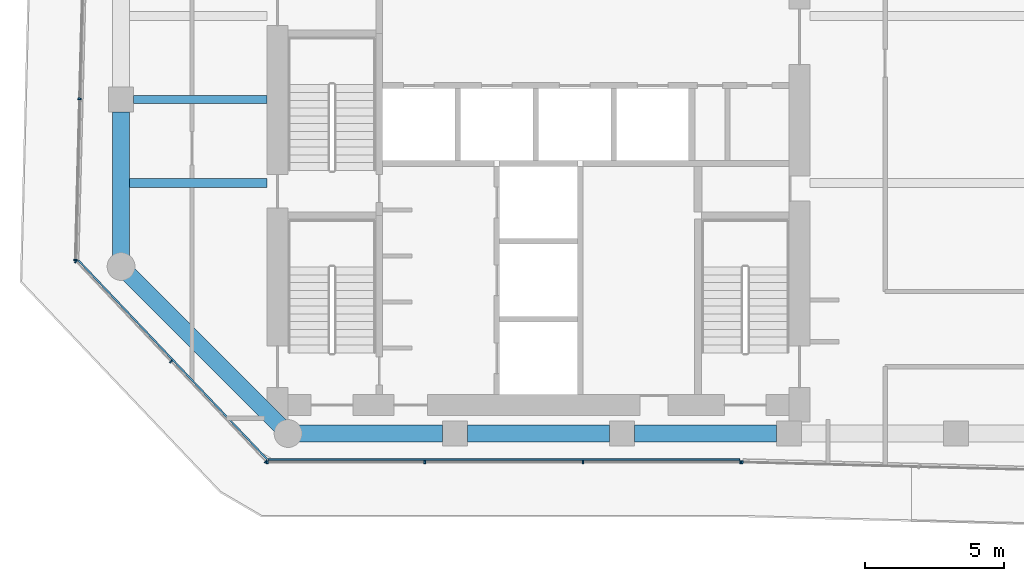
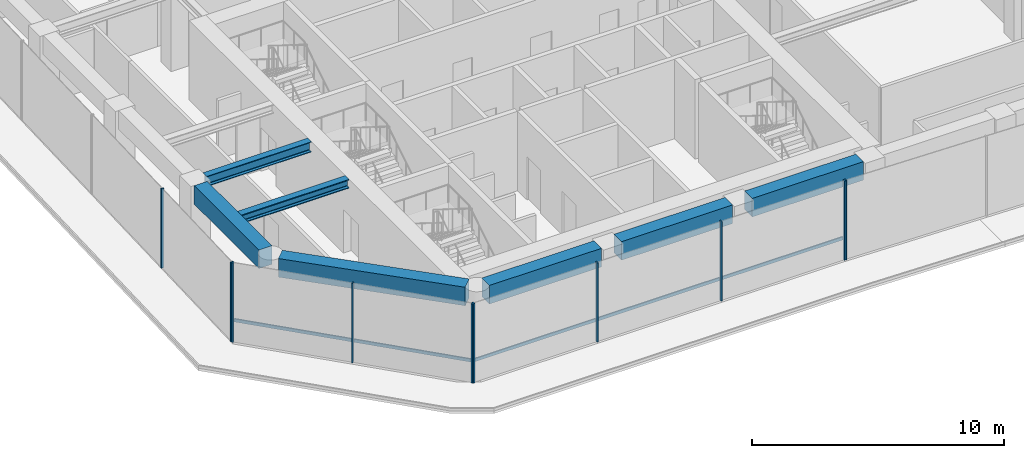
# One storey, part 2 of 23: 12 members, 7 beams, 4 elements without a shape of their own.
"""IFC4 building model written with IfcOpenShell, lengths in metres."""

from ifc_helpers import new_model, si_unit, direction, frame, origin, origin_2d, place, context, subcontext, project, spatial, rectangle, i_section, extrude, material, layer, layer_set, material_profile, profile_set, type_object, element, aggregate, save


model = new_model("IFC4")

# Units and contexts
model_context = context("Model", 3, precision=1e-05, world=origin(), true_north=direction((0.0, 1.0)))
body_context = subcontext(model_context, "Body", "Model", "MODEL_VIEW")
ifc_project = project(units=[si_unit("LENGTHUNIT", "METRE"), si_unit("AREAUNIT", "SQUARE_METRE"), si_unit("VOLUMEUNIT", "CUBIC_METRE"), si_unit("PLANEANGLEUNIT", "RADIAN"), si_unit("MASSUNIT", "GRAM", prefix="KILO")], contexts=[model_context])

# Site, building, storey
site_placement = place(None, origin())
site = spatial("IfcSite", under=ifc_project, at=site_placement, CompositionType="ELEMENT")
building_placement = place(site_placement, origin())
building = spatial("IfcBuilding", under=site, at=building_placement, Name="Welwitschia Terrace Campus", CompositionType="ELEMENT")
storey_placement = place(building_placement, frame((0.0, 0.0, 117.199951171875)))
storey = spatial("IfcBuildingStorey", under=building, at=storey_placement, Name="L26", CompositionType="ELEMENT", Elevation=117.199951171875)

# Beam
ifc_material_1 = material(Name="Steel S355", Category="steel")
ifc_material_profile_1 = material_profile(ifc_material_1, i_section(OverallWidth=0.306884765625, OverallDepth=0.431884765625, WebThickness=0.02099609375, FlangeThickness=0.0400390625, FilletRadius=0.027099609375, at=origin_2d()))
ifc_profile_set_1 = profile_set([ifc_material_profile_1], Name="Steel S355")
beam_type_1 = type_object("IfcBeamType", Name="Interior girder HE 400 M", PredefinedType="BEAM", material=ifc_profile_set_1)
beam_1_placement = place(storey_placement, frame((-0.010009765625, 13.0, 3.634033203125), z_axis=(1.0, 0.0, 0.0), x_axis=(0.0, 1.0, 0.0)))
element("IfcBeam", 1, at=beam_1_placement, inside=storey, type_object=beam_type_1, Name="Girder GB3", PredefinedType="BEAM", context=body_context, shape_type="SweptSolid", body=[
    extrude(i_section(OverallWidth=0.306884765625, OverallDepth=0.431884765625, WebThickness=0.02099609375, FlangeThickness=0.0400390625, FilletRadius=0.027099609375, at=origin_2d()), origin(), (0.0, 0.0, 1.0), 5.259033203125),
])

# Curtain wall, members
ifc_material_2 = material(Name="Bronze anodised aluminium", Category="aluminium")
ifc_layer = layer(ifc_material_2, 0.1201171875)
ifc_layer_set = layer_set([ifc_layer], Name="Bronze anodised aluminium")
curtain_wall_type = type_object("IfcCurtainWallType", Name="Curtain wall CW2 tower 6000", PredefinedType="NOTDEFINED", material=ifc_layer_set)
curtain_wall_1_placement = place(storey_placement, origin())
curtain_wall_1 = element("IfcCurtainWall", 2, at=curtain_wall_1_placement, inside=storey, type_object=curtain_wall_type, Name="CW L26.0.0", PredefinedType="NOTDEFINED")
ifc_material_3 = material(Name="Bronze anodised aluminium", Category="aluminium")
ifc_material_profile_2 = material_profile(ifc_material_3, rectangle(XDim=0.1201171875, YDim=0.06005859375, at=origin_2d()))
ifc_profile_set_2 = profile_set([ifc_material_profile_2], Name="Bronze anodised aluminium")
member_type_1 = type_object("IfcMemberType", Name="Mullion 60x120", PredefinedType="MULLION", material=ifc_profile_set_2)
member_1_placement = place(storey_placement, frame((-1.4873046875, 16.024169921875, 0.0), z_axis=(0.0, 0.0, 1.0), x_axis=(0.999657324976, -0.026176948308, 0.0)))
member_1 = element("IfcMember", 3, at=member_1_placement, type_object=member_type_1, Name="Mullion L26.0.0.3", PredefinedType="MULLION", context=body_context, shape_type="SweptSolid", body=[
    extrude(rectangle(XDim=0.1201171875, YDim=0.06005859375, at=origin_2d()), origin(), (0.0, 0.0, 1.0), 3.85009765625),
])
member_2_placement = place(storey_placement, frame((-1.63916015625, 10.232177734375, 0.0), z_axis=(0.0, 0.0, 1.0), x_axis=(0.999657324976, -0.026176948308, 0.0)))
member_2 = element("IfcMember", 4, at=member_2_placement, type_object=member_type_1, Name="Mullion L26.0.0.4", PredefinedType="MULLION", context=body_context, shape_type="SweptSolid", body=[
    extrude(rectangle(XDim=0.1201171875, YDim=0.06005859375, at=origin_2d()), origin(), (0.0, 0.0, 1.0), 3.85009765625),
])
aggregate(curtain_wall_1, [member_1, member_2])

curtain_wall_2_placement = place(storey_placement, origin())
curtain_wall_2 = element("IfcCurtainWall", 5, at=curtain_wall_2_placement, inside=storey, type_object=curtain_wall_type, Name="CW L26.1.0", PredefinedType="NOTDEFINED")
member_3_placement = place(storey_placement, frame((-1.619140625, 10.180419921875, 0.0), z_axis=(0.0, 0.0, 1.0), x_axis=(0.725374371012, 0.688354575694, 0.0)))
member_3 = element("IfcMember", 6, at=member_3_placement, type_object=member_type_1, Name="Mullion L26.1.0.0", PredefinedType="MULLION", context=body_context, shape_type="SweptSolid", body=[
    extrude(rectangle(XDim=0.1201171875, YDim=0.06005859375, at=origin_2d()), origin(), (0.0, 0.0, 1.0), 3.85009765625),
])
member_4_placement = place(storey_placement, frame((1.791748046875, 6.5859375, 0.0), z_axis=(0.0, 0.0, 1.0), x_axis=(0.725374371012, 0.688354575694, 0.0)))
member_4 = element("IfcMember", 7, at=member_4_placement, type_object=member_type_1, Name="Mullion L26.1.0.1", PredefinedType="MULLION", context=body_context, shape_type="SweptSolid", body=[
    extrude(rectangle(XDim=0.1201171875, YDim=0.06005859375, at=origin_2d()), origin(), (0.0, 0.0, 1.0), 3.85009765625),
])
member_5_placement = place(storey_placement, frame((5.202392578125, 2.99169921875, 0.0), z_axis=(0.0, 0.0, 1.0), x_axis=(0.725374371012, 0.688354575694, 0.0)))
member_5 = element("IfcMember", 8, at=member_5_placement, type_object=member_type_1, Name="Mullion L26.1.0.2", PredefinedType="MULLION", context=body_context, shape_type="SweptSolid", body=[
    extrude(rectangle(XDim=0.1201171875, YDim=0.06005859375, at=origin_2d()), origin(), (0.0, 0.0, 1.0), 3.85009765625),
])

curtain_wall_3_placement = place(storey_placement, origin())
curtain_wall_3 = element("IfcCurtainWall", 9, at=curtain_wall_3_placement, inside=storey, type_object=curtain_wall_type, Name="CW L26.2.0", PredefinedType="NOTDEFINED")
member_6_placement = place(storey_placement, frame((5.253173828125, 2.969970703125, 0.0), z_axis=(0.0, 0.0, 1.0), x_axis=(0.0, 1.0, 0.0)))
member_6 = element("IfcMember", 10, at=member_6_placement, type_object=member_type_1, Name="Mullion L26.2.0.0", PredefinedType="MULLION", context=body_context, shape_type="SweptSolid", body=[
    extrude(rectangle(XDim=0.1201171875, YDim=0.06005859375, at=origin_2d()), origin(), (0.0, 0.0, 1.0), 3.85009765625),
])
member_7_placement = place(storey_placement, frame((10.909912109375, 2.969970703125, 0.0), z_axis=(0.0, 0.0, 1.0), x_axis=(0.0, 1.0, 0.0)))
member_7 = element("IfcMember", 11, at=member_7_placement, type_object=member_type_1, Name="Mullion L26.2.0.1", PredefinedType="MULLION", context=body_context, shape_type="SweptSolid", body=[
    extrude(rectangle(XDim=0.1201171875, YDim=0.06005859375, at=origin_2d()), origin(), (0.0, 0.0, 1.0), 3.85009765625),
])
member_8_placement = place(storey_placement, frame((16.5966796875, 2.969970703125, 0.0), z_axis=(0.0, 0.0, 1.0), x_axis=(0.0, 1.0, 0.0)))
member_8 = element("IfcMember", 12, at=member_8_placement, type_object=member_type_1, Name="Mullion L26.2.0.2", PredefinedType="MULLION", context=body_context, shape_type="SweptSolid", body=[
    extrude(rectangle(XDim=0.1201171875, YDim=0.06005859375, at=origin_2d()), origin(), (0.0, 0.0, 1.0), 3.85009765625),
])
member_9_placement = place(storey_placement, frame((22.25341796875, 2.969970703125, 0.0), z_axis=(0.0, 0.0, 1.0), x_axis=(0.0, 1.0, 0.0)))
member_9 = element("IfcMember", 13, at=member_9_placement, type_object=member_type_1, Name="Mullion L26.2.0.3", PredefinedType="MULLION", context=body_context, shape_type="SweptSolid", body=[
    extrude(rectangle(XDim=0.1201171875, YDim=0.06005859375, at=origin_2d()), origin(), (0.0, 0.0, 1.0), 3.85009765625),
])

# Curtain wall, member
curtain_wall_4_placement = place(storey_placement, origin())
curtain_wall_4 = element("IfcCurtainWall", 14, at=curtain_wall_4_placement, inside=storey, type_object=curtain_wall_type, Name="CW L26.3.0", PredefinedType="NOTDEFINED")
member_10_placement = place(storey_placement, frame((22.3134765625, 2.96923828125, 0.0), z_axis=(0.0, 0.0, 1.0), x_axis=(0.026176948308, 0.999657324976, 0.0)))
member_10 = element("IfcMember", 15, at=member_10_placement, type_object=member_type_1, Name="Mullion L26.3.0.0", PredefinedType="MULLION", context=body_context, shape_type="SweptSolid", body=[
    extrude(rectangle(XDim=0.1201171875, YDim=0.06005859375, at=origin_2d()), origin(), (0.0, 0.0, 1.0), 3.85009765625),
])
aggregate(curtain_wall_4, [member_10])

# Beams
ifc_material_4 = material(Name="Steel S355", Category="steel")
ifc_material_profile_3 = material_profile(ifc_material_4, i_section(OverallWidth=0.300048828125, OverallDepth=0.5, WebThickness=0.014404296875, FlangeThickness=0.028076171875, FilletRadius=0.027099609375, at=origin_2d()))
ifc_profile_set_3 = profile_set([ifc_material_profile_3], Name="Steel S355")
beam_type_2 = type_object("IfcBeamType", Name="Primary beam HE 500 B", PredefinedType="BEAM", material=ifc_profile_set_3)
beam_2_placement = place(storey_placement, frame((0.450439453125, 16.0, 3.60009765625), z_axis=(1.0, 0.0, 0.0), x_axis=(0.0, 1.0, 0.0)))
element("IfcBeam", 16, at=beam_2_placement, inside=storey, type_object=beam_type_2, Name="Primary beam PB3", PredefinedType="BEAM", context=body_context, shape_type="SweptSolid", body=[
    extrude(i_section(OverallWidth=0.300048828125, OverallDepth=0.5, WebThickness=0.014404296875, FlangeThickness=0.028076171875, FilletRadius=0.027099609375, at=origin_2d()), origin(), (0.0, 0.0, 1.0), 4.799560546875),
])
ifc_material_5 = material(Name="Concrete C60/75", Category="concrete")
ifc_material_profile_4 = material_profile(ifc_material_5, rectangle(XDim=0.60009765625, YDim=0.89990234375, at=origin_2d()))
ifc_profile_set_4 = profile_set([ifc_material_profile_4], Name="Concrete C60/75")
beam_type_3 = type_object("IfcBeamType", Name="Ring spandrel 600x900", PredefinedType="SPANDREL", material=ifc_profile_set_4)
beam_3_placement = place(storey_placement, frame((0.283203125, 9.716796875, 3.400146484375), z_axis=(0.707106781187, -0.707106781187, 0.0), x_axis=(0.707106781187, 0.707106781187, 0.0)))
element("IfcBeam", 17, at=beam_3_placement, inside=storey, type_object=beam_type_3, Name="Spandrel SP2", PredefinedType="SPANDREL", context=body_context, shape_type="SweptSolid", body=[
    extrude(rectangle(XDim=0.60009765625, YDim=0.89990234375, at=origin_2d()), origin(), (0.0, 0.0, 1.0), 7.684326171875),
])
beam_4_placement = place(storey_placement, frame((6.400390625, 4.0, 3.400146484375), z_axis=(1.0, 0.0, 0.0), x_axis=(0.0, 1.0, 0.0)))
element("IfcBeam", 18, at=beam_4_placement, inside=storey, type_object=beam_type_3, Name="Spandrel SP2", PredefinedType="SPANDREL", context=body_context, shape_type="SweptSolid", body=[
    extrude(rectangle(XDim=0.60009765625, YDim=0.89990234375, at=origin_2d()), origin(), (0.0, 0.0, 1.0), 5.149169921875),
])
for number, where, z_axis, x_axis, name in (
    (19, (12.450439453125, 4.0, 3.400146484375), (1.0, 0.0, 0.0), (0.0, 1.0, 0.0), "Spandrel SP2"),
    (20, (18.450439453125, 4.0, 3.400146484375), (1.0, 0.0, 0.0), (0.0, 1.0, 0.0), "Spandrel SP2"),
):
    element("IfcBeam", number, at=place(storey_placement, frame(where, z_axis=z_axis, x_axis=x_axis)), inside=storey, type_object=beam_type_3, Name=name, PredefinedType="SPANDREL", context=body_context, shape_type="SweptSolid", body=[
        extrude(rectangle(XDim=0.60009765625, YDim=0.89990234375, at=origin_2d()), origin(), (0.0, 0.0, 1.0), 5.09912109375),
    ])
beam_5_placement = place(storey_placement, frame((0.0, 15.549560546875, 3.400146484375), z_axis=(0.0, -1.0, 0.0), x_axis=(1.0, 0.0, 0.0)))
element("IfcBeam", 21, at=beam_5_placement, inside=storey, type_object=beam_type_3, Name="Spandrel SP2", PredefinedType="SPANDREL", context=body_context, shape_type="SweptSolid", body=[
    extrude(rectangle(XDim=0.60009765625, YDim=0.89990234375, at=origin_2d()), origin(), (0.0, 0.0, 1.0), 5.149169921875),
])

# Member
ifc_material_6 = material(Name="Bronze anodised aluminium", Category="aluminium")
ifc_material_profile_5 = material_profile(ifc_material_6, rectangle(XDim=0.06005859375, YDim=0.14990234375, at=origin_2d()))
ifc_profile_set_5 = profile_set([ifc_material_profile_5], Name="Bronze anodised aluminium")
member_type_2 = type_object("IfcMemberType", Name="Transom 60x150", PredefinedType="USERDEFINED", material=ifc_profile_set_5)
member_11_placement = place(storey_placement, frame((-1.533203125, 10.220458984375, 1.0), z_axis=(0.688349398093, -0.725379284337, 0.0), x_axis=(0.725379284337, 0.688349398093, 0.0)))
member_11 = element("IfcMember", 22, at=member_11_placement, type_object=member_type_2, Name="Transom L26.1.0", ObjectType="TRANSOM", PredefinedType="USERDEFINED", context=body_context, shape_type="SweptSolid", body=[
    extrude(rectangle(XDim=0.06005859375, YDim=0.14990234375, at=origin_2d()), origin(), (0.0, 0.0, 1.0), 9.85009765625),
])

aggregate(curtain_wall_2, [member_3, member_4, member_5, member_11])

member_12_placement = place(storey_placement, frame((5.283203125, 3.06005859375, 1.0), z_axis=(1.0, 0.0, 0.0), x_axis=(0.0, 1.0, 0.0)))
member_12 = element("IfcMember", 23, at=member_12_placement, type_object=member_type_2, Name="Transom L26.2.0", ObjectType="TRANSOM", PredefinedType="USERDEFINED", context=body_context, shape_type="SweptSolid", body=[
    extrude(rectangle(XDim=0.06005859375, YDim=0.14990234375, at=origin_2d()), origin(), (0.0, 0.0, 1.0), 16.940185546875),
])

aggregate(curtain_wall_3, [member_6, member_7, member_8, member_9, member_12])

save(model, "model.ifc")
